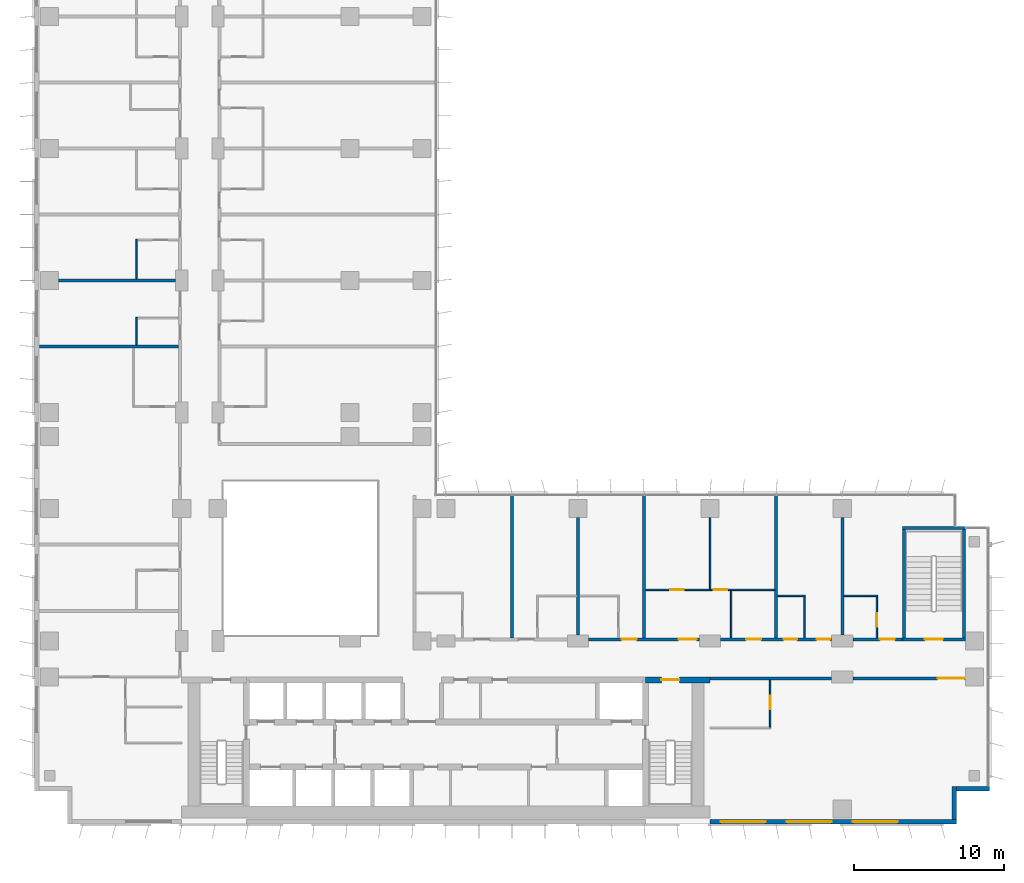
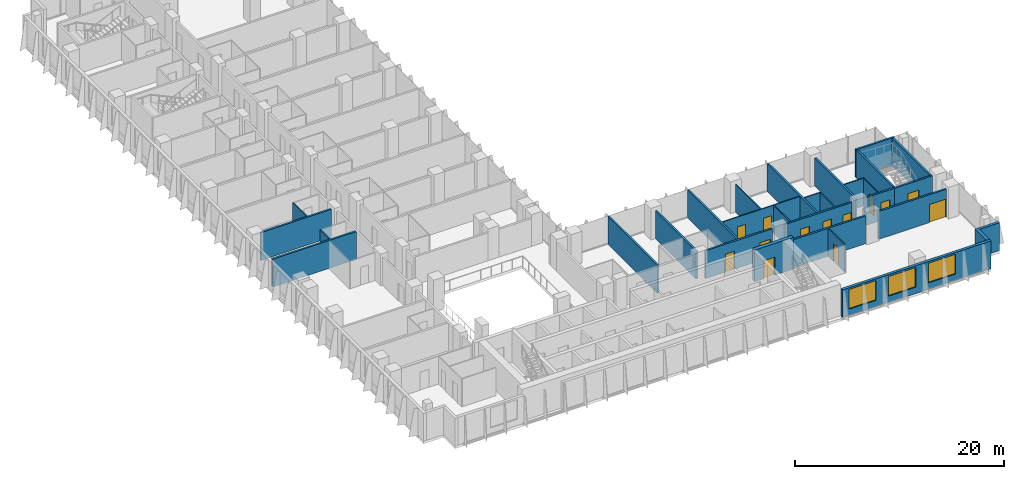
# One storey, part 14 of 22: 30 walls, 13 doors, 3 windows, 16 openings.
"""IFC4 building model written with IfcOpenShell, lengths in metres."""

from ifc_helpers import new_model, si_unit, direction, frame, frame_2d, origin, place, context, subcontext, project, spatial, rectangle, extrude, material, layer, layer_set, type_object, element, fill, save


model = new_model("IFC4")

# Units and contexts
model_context = context("Model", 3, precision=1e-05, world=origin(), true_north=direction((0.0, 1.0)))
body_context = subcontext(model_context, "Body", "Model", "MODEL_VIEW")
ifc_project = project(units=[si_unit("LENGTHUNIT", "METRE"), si_unit("AREAUNIT", "SQUARE_METRE"), si_unit("VOLUMEUNIT", "CUBIC_METRE"), si_unit("PLANEANGLEUNIT", "RADIAN"), si_unit("MASSUNIT", "GRAM", prefix="KILO")], contexts=[model_context])

# Site, building, storey
site_placement = place(None, origin())
site = spatial("IfcSite", under=ifc_project, at=site_placement, CompositionType="ELEMENT")
building_placement = place(site_placement, origin())
building = spatial("IfcBuilding", under=site, at=building_placement, Name="Kemantara Hotel Tower", CompositionType="ELEMENT")
storey_placement = place(building_placement, frame((0.0, 0.0, 129.60009765625)))
storey = spatial("IfcBuildingStorey", under=building, at=storey_placement, Name="L31", CompositionType="ELEMENT", Elevation=129.60009765625)

# Wall, openings, windows
ifc_material_1 = material(Name="Bronze anodised aluminium cladding on insulated steel stud wall", Category="steel")
ifc_layer_1 = layer(ifc_material_1, 0.300048828125)
ifc_layer_set_1 = layer_set([ifc_layer_1], Name="Bronze anodised aluminium cladding on insulated steel stud wall")
wall_type_1 = type_object("IfcWallType", Name="BRONZE METAL-CLAD EXTERNAL WALL 300", PredefinedType="STANDARD", material=ifc_layer_set_1)
wall_1_placement = place(storey_placement, frame((45.0, 0.14990234375, 0.0), z_axis=(0.0, 0.0, 1.0), x_axis=(1.0, 0.0, 0.0)))
wall_1 = element("IfcWall", 1, at=wall_1_placement, inside=storey, type_object=wall_type_1, Name="EXTERNAL WALL L31 T2-R07-3", PredefinedType="STANDARD", context=body_context, shape_type="SweptSolid", body=[
    extrude(rectangle(XDim=16.39990234375, YDim=0.300048828125, at=frame_2d((8.199951171875, 0.0))), origin(), (0.0, 0.0, 1.0), 3.25),
])
opening_1_placement = place(wall_1_placement, frame((0.699951171875, 0.0, 0.75)))
opening_1 = element("IfcOpeningElement", 2, at=opening_1_placement, cuts=wall_1, Name="Opening W1", PredefinedType="OPENING", context=body_context, shape_type="SweptSolid", body=[
    extrude(rectangle(XDim=3.0, YDim=2.300048828125, at=frame_2d((1.5, 1.14990234375))), frame((0.0, 0.159912109375, 0.0), z_axis=(0.0, -1.0, 0.0), x_axis=(1.0, 0.0, 0.0)), (0.0, 0.0, 1.0), 0.320068359375),
])
opening_2_placement = place(wall_1_placement, frame((5.10009765625, 0.0, 0.75)))
opening_2 = element("IfcOpeningElement", 3, at=opening_2_placement, cuts=wall_1, Name="Opening W1", PredefinedType="OPENING", context=body_context, shape_type="SweptSolid", body=[
    extrude(rectangle(XDim=3.0, YDim=2.300048828125, at=frame_2d((1.5, 1.14990234375))), frame((0.0, 0.159912109375, 0.0), z_axis=(0.0, -1.0, 0.0), x_axis=(1.0, 0.0, 0.0)), (0.0, 0.0, 1.0), 0.320068359375),
])
opening_3_placement = place(wall_1_placement, frame((9.5, 0.0, 0.75)))
opening_3 = element("IfcOpeningElement", 4, at=opening_3_placement, cuts=wall_1, Name="Opening W1", PredefinedType="OPENING", context=body_context, shape_type="SweptSolid", body=[
    extrude(rectangle(XDim=3.0, YDim=2.300048828125, at=frame_2d((1.5, 1.14990234375))), frame((0.0, 0.159912109375, 0.0), z_axis=(0.0, -1.0, 0.0), x_axis=(1.0, 0.0, 0.0)), (0.0, 0.0, 1.0), 0.320068359375),
])
ifc_material_2 = material(Name="Low-E tinted double insulated glass in bronze anodised aluminium frame", Category="aluminium")
window_type = type_object("IfcWindowType", Name="CHICAGO WINDOW, TRIPLE PANEL 3000x2300", PartitioningType="TRIPLE_PANEL_VERTICAL", PredefinedType="WINDOW", material=ifc_material_2)
window_1_placement = place(opening_1_placement, origin())
window_1 = element("IfcWindow", 5, at=window_1_placement, inside=storey, type_object=window_type, Name="CHICAGO WINDOW L31 T2-R07-450", OverallHeight=2.300048828125, OverallWidth=3.0, PartitioningType="SINGLE_PANEL", PredefinedType="WINDOW", context=body_context, shape_type="SweptSolid", body=[
    extrude(rectangle(XDim=3.0, YDim=2.300048828125, at=frame_2d((1.5, 1.14990234375))), frame((0.0, 0.030029296875, 0.0), z_axis=(0.0, -1.0, 0.0), x_axis=(1.0, 0.0, 0.0)), (0.0, 0.0, 1.0), 0.06005859375),
])
fill(opening_1, window_1)
window_2_placement = place(opening_2_placement, origin())
window_2 = element("IfcWindow", 6, at=window_2_placement, inside=storey, type_object=window_type, Name="CHICAGO WINDOW L31 T2-R07-494", OverallHeight=2.300048828125, OverallWidth=3.0, PartitioningType="SINGLE_PANEL", PredefinedType="WINDOW", context=body_context, shape_type="SweptSolid", body=[
    extrude(rectangle(XDim=3.0, YDim=2.300048828125, at=frame_2d((1.5, 1.14990234375))), frame((0.0, 0.030029296875, 0.0), z_axis=(0.0, -1.0, 0.0), x_axis=(1.0, 0.0, 0.0)), (0.0, 0.0, 1.0), 0.06005859375),
])
fill(opening_2, window_2)
window_3_placement = place(opening_3_placement, origin())
window_3 = element("IfcWindow", 7, at=window_3_placement, inside=storey, type_object=window_type, Name="CHICAGO WINDOW L31 T2-R07-538", OverallHeight=2.300048828125, OverallWidth=3.0, PartitioningType="SINGLE_PANEL", PredefinedType="WINDOW", context=body_context, shape_type="SweptSolid", body=[
    extrude(rectangle(XDim=3.0, YDim=2.300048828125, at=frame_2d((1.5, 1.14990234375))), frame((0.0, 0.030029296875, 0.0), z_axis=(0.0, -1.0, 0.0), x_axis=(1.0, 0.0, 0.0)), (0.0, 0.0, 1.0), 0.06005859375),
])
fill(opening_3, window_3)

# Walls
wall_2_placement = place(storey_placement, frame((61.25, 0.300048828125, 0.0), z_axis=(0.0, 0.0, 1.0), x_axis=(0.0, 1.0, 0.0)))
element("IfcWall", 8, at=wall_2_placement, inside=storey, type_object=wall_type_1, Name="EXTERNAL WALL L31 T2-R08", PredefinedType="STANDARD", context=body_context, shape_type="SweptSolid", body=[
    extrude(rectangle(XDim=2.199951171875, YDim=0.300048828125, at=frame_2d((1.10009765625, 0.0))), origin(), (0.0, 0.0, 1.0), 3.25),
])
wall_3_placement = place(storey_placement, frame((61.39990234375, 2.35009765625, 0.0), z_axis=(0.0, 0.0, 1.0), x_axis=(1.0, 0.0, 0.0)))
element("IfcWall", 9, at=wall_3_placement, inside=storey, type_object=wall_type_1, Name="EXTERNAL WALL L31 T2-R09", PredefinedType="STANDARD", context=body_context, shape_type="SweptSolid", body=[
    extrude(rectangle(XDim=2.2001953125, YDim=0.300048828125, at=frame_2d((1.10009765625, 0.0))), origin(), (0.0, 0.0, 1.0), 3.25),
])

# Wall, opening, door
ifc_material_3 = material(Name="Concrete fc 70 MPa", Category="concrete")
ifc_layer_2 = layer(ifc_material_3, 0.39990234375)
ifc_layer_set_2 = layer_set([ifc_layer_2], Name="Concrete fc 70 MPa")
wall_type_2 = type_object("IfcWallType", Name="CORE WALL 400 FC70", PredefinedType="SHEAR", material=ifc_layer_set_2)
wall_4_placement = place(storey_placement, frame((40.699951171875, 9.60009765625, 0.0), z_axis=(0.0, 0.0, 1.0), x_axis=(1.0, 0.0, 0.0)))
wall_4 = element("IfcWall", 10, at=wall_4_placement, inside=storey, type_object=wall_type_2, Name="CORE WALL CW-N2", PredefinedType="SHEAR", context=body_context, shape_type="SweptSolid", body=[
    extrude(rectangle(XDim=4.300048828125, YDim=0.39990234375, at=frame_2d((2.14990234375, 0.0))), origin(), (0.0, 0.0, 1.0), 3.699951171875),
])
opening_4_placement = place(wall_4_placement, frame((1.050048828125, 0.0, 0.0)))
opening_4 = element("IfcOpeningElement", 11, at=opening_4_placement, cuts=wall_4, Name="Opening C20-ST2-C", PredefinedType="OPENING", context=body_context, shape_type="SweptSolid", body=[
    extrude(rectangle(XDim=1.199951171875, YDim=2.10009765625, at=frame_2d((0.60009765625, 1.050048828125))), frame((0.0, 0.2099609375, 0.0), z_axis=(0.0, -1.0, 0.0), x_axis=(1.0, 0.0, 0.0)), (0.0, 0.0, 1.0), 0.419921875),
])
ifc_material_4 = material(Name="Steel fire door", Category="steel")
door_type_1 = type_object("IfcDoorType", Name="Fire door FD90 1200 x 2100", OperationType="NOTDEFINED", PredefinedType="DOOR", material=ifc_material_4)
door_1_placement = place(opening_4_placement, frame((1.199951171875, 0.0, 0.0), z_axis=(0.0, 0.0, 1.0), x_axis=(-1.0, 0.0, 0.0)))
door_1 = element("IfcDoor", 12, at=door_1_placement, inside=storey, type_object=door_type_1, Name="Stair ST2 door to corridor", OperationType="SINGLE_SWING_RIGHT", OverallHeight=2.10009765625, OverallWidth=1.199951171875, PredefinedType="DOOR", context=body_context, shape_type="SweptSolid", body=[
    extrude(rectangle(XDim=1.199951171875, YDim=2.10009765625, at=frame_2d((0.60009765625, 1.050048828125))), frame((0.0, 0.02490234375, 0.0), z_axis=(0.0, -1.0, 0.0), x_axis=(1.0, 0.0, 0.0)), (0.0, 0.0, 1.0), 0.050048828125),
])
fill(opening_4, door_1)

# Wall
ifc_material_5 = material(Name="Gypsum board partition, steel studs and mineral wool, 200 mm", Category="steel")
ifc_layer_3 = layer(ifc_material_5, 0.199951171875)
ifc_layer_set_3 = layer_set([ifc_layer_3], Name="Gypsum board partition, steel studs and mineral wool, 200 mm")
wall_type_3 = type_object("IfcWallType", Name="CORRIDOR WALL 200", PredefinedType="PARTITIONING", material=ifc_layer_set_3)
wall_5_placement = place(storey_placement, frame((45.0, 9.699951171875, 0.0), z_axis=(0.0, 0.0, 1.0), x_axis=(1.0, 0.0, 0.0)))
element("IfcWall", 13, at=wall_5_placement, inside=storey, type_object=wall_type_3, Name="CORRIDOR WALL 200 001", PredefinedType="PARTITIONING", context=body_context, shape_type="SweptSolid", body=[
    extrude(rectangle(XDim=8.099853515625, YDim=0.199951171875, at=frame_2d((4.0498046875, 0.0))), origin(), (0.0, 0.0, 1.0), 3.25),
])

# Wall, opening, door
wall_6_placement = place(storey_placement, frame((62.0, 9.699951171875, 0.0), z_axis=(0.0, 0.0, 1.0), x_axis=(-1.0, 0.0, 0.0)))
wall_6 = element("IfcWall", 14, at=wall_6_placement, inside=storey, type_object=wall_type_3, Name="CORRIDOR WALL 200 002", PredefinedType="PARTITIONING", context=body_context, shape_type="SweptSolid", body=[
    extrude(rectangle(XDim=7.5, YDim=0.199951171875, at=frame_2d((3.75, 0.0))), origin(), (0.0, 0.0, 1.0), 3.25),
])
opening_5_placement = place(wall_6_placement, frame((0.0498046875, 0.0, 0.0)))
opening_5 = element("IfcOpeningElement", 15, at=opening_5_placement, cuts=wall_6, Name="Opening F14-001", PredefinedType="OPENING", context=body_context, shape_type="SweptSolid", body=[
    extrude(rectangle(XDim=1.800048828125, YDim=2.10009765625, at=frame_2d((0.89990234375, 1.050048828125))), frame((0.0, 0.10986328125, 0.0), z_axis=(0.0, -1.0, 0.0), x_axis=(1.0, 0.0, 0.0)), (0.0, 0.0, 1.0), 0.219970703125),
])
ifc_material_6 = material(Name="Hardwood veneer door leaf with steel frame", Category="steel")
door_type_2 = type_object("IfcDoorType", Name="AMENITY ROOM DOOR 1800 X 2100 FD30S", OperationType="NOTDEFINED", PredefinedType="DOOR", material=ifc_material_6)
door_2_placement = place(opening_5_placement, origin())
door_2 = element("IfcDoor", 16, at=door_2_placement, inside=storey, type_object=door_type_2, Name="AMENITY ROOM DOOR F14-001", OperationType="DOUBLE_DOOR_SINGLE_SWING", OverallHeight=2.10009765625, OverallWidth=1.800048828125, PredefinedType="DOOR", context=body_context, shape_type="SweptSolid", body=[
    extrude(rectangle(XDim=1.800048828125, YDim=2.10009765625, at=frame_2d((0.89990234375, 1.050048828125))), frame((0.0, 0.02490234375, 0.0), z_axis=(0.0, -1.0, 0.0), x_axis=(1.0, 0.0, 0.0)), (0.0, 0.0, 1.0), 0.050048828125),
])
fill(opening_5, door_2)

# Wall, openings, doors
wall_7_placement = place(storey_placement, frame((36.900146484375, 12.300048828125, 0.0), z_axis=(0.0, 0.0, 1.0), x_axis=(1.0, 0.0, 0.0)))
wall_7 = element("IfcWall", 17, at=wall_7_placement, inside=storey, type_object=wall_type_3, Name="CORRIDOR WALL 200 005", PredefinedType="PARTITIONING", context=body_context, shape_type="SweptSolid", body=[
    extrude(rectangle(XDim=7.399658203125, YDim=0.199951171875, at=frame_2d((3.69970703125, 0.0))), origin(), (0.0, 0.0, 1.0), 3.25),
])
opening_6_placement = place(wall_7_placement, frame((2.199951171875, 0.0, 0.0)))
opening_6 = element("IfcOpeningElement", 18, at=opening_6_placement, cuts=wall_7, Name="Opening F14-007", PredefinedType="OPENING", context=body_context, shape_type="SweptSolid", body=[
    extrude(rectangle(XDim=1.0, YDim=2.10009765625, at=frame_2d((0.5, 1.050048828125))), frame((0.0, 0.10986328125, 0.0), z_axis=(0.0, -1.0, 0.0), x_axis=(1.0, 0.0, 0.0)), (0.0, 0.0, 1.0), 0.219970703125),
])
opening_7_placement = place(wall_7_placement, frame((6.0, 0.0, 0.0)))
opening_7 = element("IfcOpeningElement", 19, at=opening_7_placement, cuts=wall_7, Name="Opening F14-010", PredefinedType="OPENING", context=body_context, shape_type="SweptSolid", body=[
    extrude(rectangle(XDim=1.199951171875, YDim=2.10009765625, at=frame_2d((0.60009765625, 1.050048828125))), frame((0.0, 0.10986328125, 0.0), z_axis=(0.0, -1.0, 0.0), x_axis=(1.0, 0.0, 0.0)), (0.0, 0.0, 1.0), 0.219970703125),
])
door_type_3 = type_object("IfcDoorType", Name="GUEST ROOM DOOR 1000 X 2100 FD30S", OperationType="NOTDEFINED", PredefinedType="DOOR", material=ifc_material_6)
door_3_placement = place(opening_6_placement, origin())
door_3 = element("IfcDoor", 20, at=door_3_placement, inside=storey, type_object=door_type_3, Name="GUEST ROOM DOOR F14-007", OperationType="SINGLE_SWING_RIGHT", OverallHeight=2.10009765625, OverallWidth=1.0, PredefinedType="DOOR", context=body_context, shape_type="SweptSolid", body=[
    extrude(rectangle(XDim=1.0, YDim=2.10009765625, at=frame_2d((0.5, 1.050048828125))), frame((0.0, 0.02490234375, 0.0), z_axis=(0.0, -1.0, 0.0), x_axis=(1.0, 0.0, 0.0)), (0.0, 0.0, 1.0), 0.050048828125),
])
fill(opening_6, door_3)
door_type_4 = type_object("IfcDoorType", Name="GUEST ROOM DOOR 1200 X 2100 FD30S", OperationType="NOTDEFINED", PredefinedType="DOOR", material=ifc_material_6)
door_4_placement = place(opening_7_placement, origin())
door_4 = element("IfcDoor", 21, at=door_4_placement, inside=storey, type_object=door_type_4, Name="GUEST ROOM DOOR F14-010", OperationType="SINGLE_SWING_LEFT", OverallHeight=2.10009765625, OverallWidth=1.199951171875, PredefinedType="DOOR", context=body_context, shape_type="SweptSolid", body=[
    extrude(rectangle(XDim=1.199951171875, YDim=2.10009765625, at=frame_2d((0.60009765625, 1.050048828125))), frame((0.0, 0.02490234375, 0.0), z_axis=(0.0, -1.0, 0.0), x_axis=(1.0, 0.0, 0.0)), (0.0, 0.0, 1.0), 0.050048828125),
])
fill(opening_7, door_4)

wall_8_placement = place(storey_placement, frame((45.7001953125, 12.300048828125, 0.0), z_axis=(0.0, 0.0, 1.0), x_axis=(1.0, 0.0, 0.0)))
wall_8 = element("IfcWall", 22, at=wall_8_placement, inside=storey, type_object=wall_type_3, Name="CORRIDOR WALL 200 006", PredefinedType="PARTITIONING", context=body_context, shape_type="SweptSolid", body=[
    extrude(rectangle(XDim=7.399658203125, YDim=0.199951171875, at=frame_2d((3.69970703125, 0.0))), origin(), (0.0, 0.0, 1.0), 3.25),
])
opening_8_placement = place(wall_8_placement, frame((1.699951171875, 0.0, 0.0)))
opening_8 = element("IfcOpeningElement", 23, at=opening_8_placement, cuts=wall_8, Name="Opening F14-009", PredefinedType="OPENING", context=body_context, shape_type="SweptSolid", body=[
    extrude(rectangle(XDim=1.0, YDim=2.10009765625, at=frame_2d((0.5, 1.050048828125))), frame((0.0, 0.10986328125, 0.0), z_axis=(0.0, -1.0, 0.0), x_axis=(1.0, 0.0, 0.0)), (0.0, 0.0, 1.0), 0.219970703125),
])
opening_9_placement = place(wall_8_placement, frame((6.39990234375, 0.0, 0.0)))
opening_9 = element("IfcOpeningElement", 24, at=opening_9_placement, cuts=wall_8, Name="Opening F14-013", PredefinedType="OPENING", context=body_context, shape_type="SweptSolid", body=[
    extrude(rectangle(XDim=0.89990234375, YDim=2.10009765625, at=frame_2d((0.449951171875, 1.050048828125))), frame((0.0, 0.10986328125, 0.0), z_axis=(0.0, -1.0, 0.0), x_axis=(1.0, 0.0, 0.0)), (0.0, 0.0, 1.0), 0.219970703125),
])
opening_10_placement = place(wall_8_placement, frame((4.199951171875, 0.0, 0.0)))
opening_10 = element("IfcOpeningElement", 25, at=opening_10_placement, cuts=wall_8, Name="Opening F14-014", PredefinedType="OPENING", context=body_context, shape_type="SweptSolid", body=[
    extrude(rectangle(XDim=0.89990234375, YDim=2.10009765625, at=frame_2d((0.449951171875, 1.050048828125))), frame((0.0, 0.10986328125, 0.0), z_axis=(0.0, -1.0, 0.0), x_axis=(1.0, 0.0, 0.0)), (0.0, 0.0, 1.0), 0.219970703125),
])
ifc_material_7 = material(Name="Steel door leaf with steel frame", Category="steel")
door_type_5 = type_object("IfcDoorType", Name="SERVICE ROOM DOOR 1000 X 2100 FD60", OperationType="NOTDEFINED", PredefinedType="DOOR", material=ifc_material_7)
door_5_placement = place(opening_8_placement, origin())
door_5 = element("IfcDoor", 26, at=door_5_placement, inside=storey, type_object=door_type_5, Name="SERVICE ROOM DOOR F14-009", OperationType="SINGLE_SWING_RIGHT", OverallHeight=2.10009765625, OverallWidth=1.0, PredefinedType="DOOR", context=body_context, shape_type="SweptSolid", body=[
    extrude(rectangle(XDim=1.0, YDim=2.10009765625, at=frame_2d((0.5, 1.050048828125))), frame((0.0, 0.02490234375, 0.0), z_axis=(0.0, -1.0, 0.0), x_axis=(1.0, 0.0, 0.0)), (0.0, 0.0, 1.0), 0.050048828125),
])
fill(opening_8, door_5)
door_type_6 = type_object("IfcDoorType", Name="SERVICE ROOM DOOR 900 X 2100 FD60", OperationType="NOTDEFINED", PredefinedType="DOOR", material=ifc_material_7)
door_6_placement = place(opening_9_placement, origin())
door_6 = element("IfcDoor", 27, at=door_6_placement, inside=storey, type_object=door_type_6, Name="SERVICE ROOM DOOR F14-013", OperationType="SINGLE_SWING_RIGHT", OverallHeight=2.10009765625, OverallWidth=0.89990234375, PredefinedType="DOOR", context=body_context, shape_type="SweptSolid", body=[
    extrude(rectangle(XDim=0.89990234375, YDim=2.10009765625, at=frame_2d((0.449951171875, 1.050048828125))), frame((0.0, 0.02490234375, 0.0), z_axis=(0.0, -1.0, 0.0), x_axis=(1.0, 0.0, 0.0)), (0.0, 0.0, 1.0), 0.050048828125),
])
fill(opening_9, door_6)
door_7_placement = place(opening_10_placement, origin())
door_7 = element("IfcDoor", 28, at=door_7_placement, inside=storey, type_object=door_type_6, Name="SERVICE ROOM DOOR F14-014", OperationType="SINGLE_SWING_LEFT", OverallHeight=2.10009765625, OverallWidth=0.89990234375, PredefinedType="DOOR", context=body_context, shape_type="SweptSolid", body=[
    extrude(rectangle(XDim=0.89990234375, YDim=2.10009765625, at=frame_2d((0.449951171875, 1.050048828125))), frame((0.0, 0.02490234375, 0.0), z_axis=(0.0, -1.0, 0.0), x_axis=(1.0, 0.0, 0.0)), (0.0, 0.0, 1.0), 0.050048828125),
])
fill(opening_10, door_7)

# Wall, opening, door
wall_9_placement = place(storey_placement, frame((54.5, 12.300048828125, 0.0), z_axis=(0.0, 0.0, 1.0), x_axis=(1.0, 0.0, 0.0)))
wall_9 = element("IfcWall", 29, at=wall_9_placement, inside=storey, type_object=wall_type_3, Name="CORRIDOR WALL 200 007", PredefinedType="PARTITIONING", context=body_context, shape_type="SweptSolid", body=[
    extrude(rectangle(XDim=3.300048828125, YDim=0.199951171875, at=frame_2d((1.64990234375, 0.0))), origin(), (0.0, 0.0, 1.0), 3.25),
])
opening_11_placement = place(wall_9_placement, frame((1.7998046875, 0.0, 0.0)))
opening_11 = element("IfcOpeningElement", 30, at=opening_11_placement, cuts=wall_9, Name="Opening F14-015", PredefinedType="OPENING", context=body_context, shape_type="SweptSolid", body=[
    extrude(rectangle(XDim=1.0, YDim=2.10009765625, at=frame_2d((0.5, 1.050048828125))), frame((0.0, 0.10986328125, 0.0), z_axis=(0.0, -1.0, 0.0), x_axis=(1.0, 0.0, 0.0)), (0.0, 0.0, 1.0), 0.219970703125),
])
door_8_placement = place(opening_11_placement, origin())
door_8 = element("IfcDoor", 31, at=door_8_placement, inside=storey, type_object=door_type_3, Name="GUEST ROOM DOOR F14-015", OperationType="SINGLE_SWING_RIGHT", OverallHeight=2.10009765625, OverallWidth=1.0, PredefinedType="DOOR", context=body_context, shape_type="SweptSolid", body=[
    extrude(rectangle(XDim=1.0, YDim=2.10009765625, at=frame_2d((0.5, 1.050048828125))), frame((0.0, 0.02490234375, 0.0), z_axis=(0.0, -1.0, 0.0), x_axis=(1.0, 0.0, 0.0)), (0.0, 0.0, 1.0), 0.050048828125),
])
fill(opening_11, door_8)

ifc_material_8 = material(Name="Concrete fc 40 MPa", Category="concrete")
ifc_layer_4 = layer(ifc_material_8, 0.199951171875)
ifc_layer_set_4 = layer_set([ifc_layer_4], Name="Concrete fc 40 MPa")
wall_type_4 = type_object("IfcWallType", Name="Concrete stair wall 200 mm", PredefinedType="SHEAR", material=ifc_layer_set_4)
wall_10_placement = place(storey_placement, frame((57.800048828125, 12.300048828125, 0.0), z_axis=(0.0, 0.0, 1.0), x_axis=(1.0, 0.0, 0.0)))
wall_10 = element("IfcWall", 32, at=wall_10_placement, inside=storey, type_object=wall_type_4, Name="Stair ST3 enclosure wall with door", PredefinedType="SHEAR", context=body_context, shape_type="SweptSolid", body=[
    extrude(rectangle(XDim=4.199951171875, YDim=0.199951171875, at=frame_2d((2.10009765625, 0.0))), origin(), (0.0, 0.0, 1.0), 3.25),
])
opening_12_placement = place(wall_10_placement, frame((1.5, 0.0, 0.0)))
opening_12 = element("IfcOpeningElement", 33, at=opening_12_placement, cuts=wall_10, Name="Opening ST3-C", PredefinedType="OPENING", context=body_context, shape_type="SweptSolid", body=[
    extrude(rectangle(XDim=1.199951171875, YDim=2.10009765625, at=frame_2d((0.60009765625, 1.050048828125))), frame((0.0, 0.10986328125, 0.0), z_axis=(0.0, -1.0, 0.0), x_axis=(1.0, 0.0, 0.0)), (0.0, 0.0, 1.0), 0.219970703125),
])
door_9_placement = place(opening_12_placement, origin())
door_9 = element("IfcDoor", 34, at=door_9_placement, inside=storey, type_object=door_type_1, Name="Stair ST3 door", OperationType="SINGLE_SWING_RIGHT", OverallHeight=2.10009765625, OverallWidth=1.199951171875, PredefinedType="DOOR", context=body_context, shape_type="SweptSolid", body=[
    extrude(rectangle(XDim=1.199951171875, YDim=2.10009765625, at=frame_2d((0.60009765625, 1.050048828125))), frame((0.0, 0.02490234375, 0.0), z_axis=(0.0, -1.0, 0.0), x_axis=(1.0, 0.0, 0.0)), (0.0, 0.0, 1.0), 0.050048828125),
])
fill(opening_12, door_9)

# Walls
wall_11_placement = place(storey_placement, frame((57.800048828125, 19.699951171875, 0.0), z_axis=(0.0, 0.0, 1.0), x_axis=(1.0, 0.0, 0.0)))
element("IfcWall", 35, at=wall_11_placement, inside=storey, type_object=wall_type_4, Name="Stair ST3 enclosure wall N", PredefinedType="SHEAR", context=body_context, shape_type="SweptSolid", body=[
    extrude(rectangle(XDim=4.199951171875, YDim=0.199951171875, at=frame_2d((2.10009765625, 0.0))), origin(), (0.0, 0.0, 1.0), 3.25),
])
for number, where, z_axis, x_axis, name in (
    (36, (57.89990234375, 12.39990234375, 0.0), (0.0, 0.0, 1.0), (0.0, 1.0, 0.0), "Stair ST3 enclosure wall W"),
    (37, (61.89990234375, 12.39990234375, 0.0), (0.0, 0.0, 1.0), (0.0, 1.0, 0.0), "Stair ST3 enclosure wall E"),
):
    element("IfcWall", number, at=place(storey_placement, frame(where, z_axis=z_axis, x_axis=x_axis)), inside=storey, type_object=wall_type_4, Name=name, PredefinedType="SHEAR", context=body_context, shape_type="SweptSolid", body=[
        extrude(rectangle(XDim=7.2001953125, YDim=0.199951171875, at=frame_2d((3.60009765625, 0.0))), origin(), (0.0, 0.0, 1.0), 3.25),
    ])
ifc_layer_5 = layer(ifc_material_5, 0.199951171875)
ifc_layer_set_5 = layer_set([ifc_layer_5], Name="Gypsum board partition, steel studs and mineral wool, 200 mm")
wall_type_5 = type_object("IfcWallType", Name="GUEST ROOM PARTY WALL 200", PredefinedType="PARTITIONING", material=ifc_layer_set_5)
wall_12_placement = place(storey_placement, frame((31.800048828125, 12.39990234375, 0.0), z_axis=(0.0, 0.0, 1.0), x_axis=(0.0, 1.0, 0.0)))
element("IfcWall", 38, at=wall_12_placement, inside=storey, type_object=wall_type_5, Name="GUEST ROOM PARTY WALL 200 010", PredefinedType="PARTITIONING", context=body_context, shape_type="SweptSolid", body=[
    extrude(rectangle(XDim=9.47021484375, YDim=0.199951171875, at=frame_2d((4.735107421875, 0.0))), origin(), (0.0, 0.0, 1.0), 3.25),
])
wall_13_placement = place(storey_placement, frame((36.199951171875, 12.60009765625, 0.0), z_axis=(0.0, 0.0, 1.0), x_axis=(0.0, 1.0, 0.0)))
element("IfcWall", 39, at=wall_13_placement, inside=storey, type_object=wall_type_5, Name="GUEST ROOM PARTY WALL 200 011", PredefinedType="PARTITIONING", context=body_context, shape_type="SweptSolid", body=[
    extrude(rectangle(XDim=7.7998046875, YDim=0.199951171875, at=frame_2d((3.89990234375, 0.0))), origin(), (0.0, 0.0, 1.0), 3.25),
])
for number, where, z_axis, x_axis, name in (
    (40, (40.60009765625, 12.39990234375, 0.0), (0.0, 0.0, 1.0), (0.0, 1.0, 0.0), "GUEST ROOM PARTY WALL 200 012"),
    (41, (49.39990234375, 12.39990234375, 0.0), (0.0, 0.0, 1.0), (0.0, 1.0, 0.0), "GUEST ROOM PARTY WALL 200 013"),
):
    element("IfcWall", number, at=place(storey_placement, frame(where, z_axis=z_axis, x_axis=x_axis)), inside=storey, type_object=wall_type_5, Name=name, PredefinedType="PARTITIONING", context=body_context, shape_type="SweptSolid", body=[
        extrude(rectangle(XDim=9.47021484375, YDim=0.199951171875, at=frame_2d((4.735107421875, 0.0))), origin(), (0.0, 0.0, 1.0), 3.25),
    ])
wall_14_placement = place(storey_placement, frame((53.800048828125, 12.60009765625, 0.0), z_axis=(0.0, 0.0, 1.0), x_axis=(0.0, 1.0, 0.0)))
element("IfcWall", 42, at=wall_14_placement, inside=storey, type_object=wall_type_5, Name="GUEST ROOM PARTY WALL 200 014", PredefinedType="PARTITIONING", context=body_context, shape_type="SweptSolid", body=[
    extrude(rectangle(XDim=7.7998046875, YDim=0.199951171875, at=frame_2d((3.89990234375, 0.0))), origin(), (0.0, 0.0, 1.0), 3.25),
])
wall_15_placement = place(storey_placement, frame((0.31005859375, 31.800048828125, 0.0), z_axis=(0.0, 0.0, 1.0), x_axis=(1.0, 0.0, 0.0)))
element("IfcWall", 43, at=wall_15_placement, inside=storey, type_object=wall_type_5, Name="GUEST ROOM PARTY WALL 200 026", PredefinedType="PARTITIONING", context=body_context, shape_type="SweptSolid", body=[
    extrude(rectangle(XDim=9.2900390625, YDim=0.199951171875, at=frame_2d((4.64501953125, 0.0))), origin(), (0.0, 0.0, 1.0), 3.25),
])
wall_16_placement = place(storey_placement, frame((1.60009765625, 36.199951171875, 0.0), z_axis=(0.0, 0.0, 1.0), x_axis=(1.0, 0.0, 0.0)))
element("IfcWall", 44, at=wall_16_placement, inside=storey, type_object=wall_type_5, Name="GUEST ROOM PARTY WALL 200 028", PredefinedType="PARTITIONING", context=body_context, shape_type="SweptSolid", body=[
    extrude(rectangle(XDim=7.7998046875, YDim=0.199951171875, at=frame_2d((3.89990234375, 0.0))), origin(), (0.0, 0.0, 1.0), 3.25),
])

# Wall, opening, door
ifc_material_9 = material(Name="Gypsum board partition on steel studs, 100 mm", Category="steel")
ifc_layer_6 = layer(ifc_material_9, 0.10009765625)
ifc_layer_set_6 = layer_set([ifc_layer_6], Name="Gypsum board partition on steel studs, 100 mm")
wall_type_6 = type_object("IfcWallType", Name="ROOM PARTITION 100", PredefinedType="PARTITIONING", material=ifc_layer_set_6)
wall_17_placement = place(storey_placement, frame((49.0, 6.449951171875, 0.0), z_axis=(0.0, 0.0, 1.0), x_axis=(0.0, 1.0, 0.0)))
wall_17 = element("IfcWall", 45, at=wall_17_placement, inside=storey, type_object=wall_type_6, Name="ROOM PARTITION 100 056", PredefinedType="PARTITIONING", context=body_context, shape_type="SweptSolid", body=[
    extrude(rectangle(XDim=3.150146484375, YDim=0.10009765625, at=frame_2d((1.5751953125, 0.0))), origin(), (0.0, 0.0, 1.0), 3.25),
])
opening_13_placement = place(wall_17_placement, frame((1.199951171875, 0.0, 0.0)))
opening_13 = element("IfcOpeningElement", 46, at=opening_13_placement, cuts=wall_17, Name="Opening F14-002", PredefinedType="OPENING", context=body_context, shape_type="SweptSolid", body=[
    extrude(rectangle(XDim=0.89990234375, YDim=2.10009765625, at=frame_2d((0.449951171875, 1.050048828125))), frame((0.0, 0.06005859375, 0.0), z_axis=(0.0, -1.0, 0.0), x_axis=(1.0, 0.0, 0.0)), (0.0, 0.0, 1.0), 0.1201171875),
])
door_type_7 = type_object("IfcDoorType", Name="INTERNAL DOOR 900 X 2100", OperationType="NOTDEFINED", PredefinedType="DOOR", material=ifc_material_6)
door_10_placement = place(opening_13_placement, origin())
door_10 = element("IfcDoor", 47, at=door_10_placement, inside=storey, type_object=door_type_7, Name="INTERNAL DOOR F14-002", OperationType="SINGLE_SWING_RIGHT", OverallHeight=2.10009765625, OverallWidth=0.89990234375, PredefinedType="DOOR", context=body_context, shape_type="SweptSolid", body=[
    extrude(rectangle(XDim=0.89990234375, YDim=2.10009765625, at=frame_2d((0.449951171875, 1.050048828125))), frame((0.0, 0.02490234375, 0.0), z_axis=(0.0, -1.0, 0.0), x_axis=(1.0, 0.0, 0.0)), (0.0, 0.0, 1.0), 0.050048828125),
])
fill(opening_13, door_10)

# Walls
wall_18_placement = place(storey_placement, frame((49.5, 15.199951171875, 0.0), z_axis=(0.0, 0.0, 1.0), x_axis=(1.0, 0.0, 0.0)))
element("IfcWall", 48, at=wall_18_placement, inside=storey, type_object=wall_type_6, Name="ROOM PARTITION 100 061", PredefinedType="PARTITIONING", context=body_context, shape_type="SweptSolid", body=[
    extrude(rectangle(XDim=1.85009765625, YDim=0.10009765625, at=frame_2d((0.925048828125, 0.0))), origin(), (0.0, 0.0, 1.0), 3.25),
])
wall_19_placement = place(storey_placement, frame((53.89990234375, 15.199951171875, 0.0), z_axis=(0.0, 0.0, 1.0), x_axis=(1.0, 0.0, 0.0)))
element("IfcWall", 49, at=wall_19_placement, inside=storey, type_object=wall_type_6, Name="ROOM PARTITION 100 062", PredefinedType="PARTITIONING", context=body_context, shape_type="SweptSolid", body=[
    extrude(rectangle(XDim=2.25, YDim=0.10009765625, at=frame_2d((1.125, 0.0))), origin(), (0.0, 0.0, 1.0), 3.25),
])

# Wall, openings, doors
wall_20_placement = place(storey_placement, frame((40.699951171875, 15.60009765625, 0.0), z_axis=(0.0, 0.0, 1.0), x_axis=(1.0, 0.0, 0.0)))
wall_20 = element("IfcWall", 50, at=wall_20_placement, inside=storey, type_object=wall_type_6, Name="ROOM PARTITION 100 065", PredefinedType="PARTITIONING", context=body_context, shape_type="SweptSolid", body=[
    extrude(rectangle(XDim=8.60009765625, YDim=0.10009765625, at=frame_2d((4.300048828125, 0.0))), origin(), (0.0, 0.0, 1.0), 3.25),
])
opening_14_placement = place(wall_20_placement, frame((4.550048828125, 0.0, 0.0)))
opening_14 = element("IfcOpeningElement", 51, at=opening_14_placement, cuts=wall_20, Name="Opening F14-011", PredefinedType="OPENING", context=body_context, shape_type="SweptSolid", body=[
    extrude(rectangle(XDim=0.89990234375, YDim=2.10009765625, at=frame_2d((0.449951171875, 1.050048828125))), frame((0.0, 0.06005859375, 0.0), z_axis=(0.0, -1.0, 0.0), x_axis=(1.0, 0.0, 0.0)), (0.0, 0.0, 1.0), 0.1201171875),
])
opening_15_placement = place(wall_20_placement, frame((1.64990234375, 0.0, 0.0)))
opening_15 = element("IfcOpeningElement", 52, at=opening_15_placement, cuts=wall_20, Name="Opening F14-012", PredefinedType="OPENING", context=body_context, shape_type="SweptSolid", body=[
    extrude(rectangle(XDim=0.89990234375, YDim=2.10009765625, at=frame_2d((0.449951171875, 1.050048828125))), frame((0.0, 0.06005859375, 0.0), z_axis=(0.0, -1.0, 0.0), x_axis=(1.0, 0.0, 0.0)), (0.0, 0.0, 1.0), 0.1201171875),
])
door_11_placement = place(opening_14_placement, origin())
door_11 = element("IfcDoor", 53, at=door_11_placement, inside=storey, type_object=door_type_7, Name="INTERNAL DOOR F14-011", OperationType="SINGLE_SWING_LEFT", OverallHeight=2.10009765625, OverallWidth=0.89990234375, PredefinedType="DOOR", context=body_context, shape_type="SweptSolid", body=[
    extrude(rectangle(XDim=0.89990234375, YDim=2.10009765625, at=frame_2d((0.449951171875, 1.050048828125))), frame((0.0, 0.02490234375, 0.0), z_axis=(0.0, -1.0, 0.0), x_axis=(1.0, 0.0, 0.0)), (0.0, 0.0, 1.0), 0.050048828125),
])
fill(opening_14, door_11)
door_12_placement = place(opening_15_placement, origin())
door_12 = element("IfcDoor", 54, at=door_12_placement, inside=storey, type_object=door_type_7, Name="INTERNAL DOOR F14-012", OperationType="SINGLE_SWING_LEFT", OverallHeight=2.10009765625, OverallWidth=0.89990234375, PredefinedType="DOOR", context=body_context, shape_type="SweptSolid", body=[
    extrude(rectangle(XDim=0.89990234375, YDim=2.10009765625, at=frame_2d((0.449951171875, 1.050048828125))), frame((0.0, 0.02490234375, 0.0), z_axis=(0.0, -1.0, 0.0), x_axis=(1.0, 0.0, 0.0)), (0.0, 0.0, 1.0), 0.050048828125),
])
fill(opening_15, door_12)

# Walls
wall_21_placement = place(storey_placement, frame((46.39990234375, 12.39990234375, 0.0), z_axis=(0.0, 0.0, 1.0), x_axis=(0.0, 1.0, 0.0)))
element("IfcWall", 55, at=wall_21_placement, inside=storey, type_object=wall_type_6, Name="ROOM PARTITION 100 066", PredefinedType="PARTITIONING", context=body_context, shape_type="SweptSolid", body=[
    extrude(rectangle(XDim=3.150146484375, YDim=0.10009765625, at=frame_2d((1.5751953125, 0.0))), origin(), (0.0, 0.0, 1.0), 3.25),
])
wall_22_placement = place(storey_placement, frame((45.0, 15.64990234375, 0.0), z_axis=(0.0, 0.0, 1.0), x_axis=(0.0, 1.0, 0.0)))
element("IfcWall", 56, at=wall_22_placement, inside=storey, type_object=wall_type_6, Name="ROOM PARTITION 100 067", PredefinedType="PARTITIONING", context=body_context, shape_type="SweptSolid", body=[
    extrude(rectangle(XDim=4.75, YDim=0.10009765625, at=frame_2d((2.375, 0.0))), origin(), (0.0, 0.0, 1.0), 3.25),
])
wall_23_placement = place(storey_placement, frame((51.300048828125, 12.39990234375, 0.0), z_axis=(0.0, 0.0, 1.0), x_axis=(0.0, 1.0, 0.0)))
element("IfcWall", 57, at=wall_23_placement, inside=storey, type_object=wall_type_6, Name="ROOM PARTITION 100 068", PredefinedType="PARTITIONING", context=body_context, shape_type="SweptSolid", body=[
    extrude(rectangle(XDim=2.75, YDim=0.10009765625, at=frame_2d((1.375, 0.0))), origin(), (0.0, 0.0, 1.0), 3.25),
])

# Wall, opening, door
wall_24_placement = place(storey_placement, frame((56.10009765625, 12.39990234375, 0.0), z_axis=(0.0, 0.0, 1.0), x_axis=(0.0, 1.0, 0.0)))
wall_24 = element("IfcWall", 58, at=wall_24_placement, inside=storey, type_object=wall_type_6, Name="ROOM PARTITION 100 069", PredefinedType="PARTITIONING", context=body_context, shape_type="SweptSolid", body=[
    extrude(rectangle(XDim=2.75, YDim=0.10009765625, at=frame_2d((1.375, 0.0))), origin(), (0.0, 0.0, 1.0), 3.25),
])
opening_16_placement = place(wall_24_placement, frame((0.75, 0.0, 0.0)))
opening_16 = element("IfcOpeningElement", 59, at=opening_16_placement, cuts=wall_24, Name="Opening F14-016", PredefinedType="OPENING", context=body_context, shape_type="SweptSolid", body=[
    extrude(rectangle(XDim=0.89990234375, YDim=2.10009765625, at=frame_2d((0.449951171875, 1.050048828125))), frame((0.0, 0.06005859375, 0.0), z_axis=(0.0, -1.0, 0.0), x_axis=(1.0, 0.0, 0.0)), (0.0, 0.0, 1.0), 0.1201171875),
])
door_type_8 = type_object("IfcDoorType", Name="BATHROOM DOOR 900 X 2100", OperationType="NOTDEFINED", PredefinedType="DOOR", material=ifc_material_6)
door_13_placement = place(opening_16_placement, origin())
door_13 = element("IfcDoor", 60, at=door_13_placement, inside=storey, type_object=door_type_8, Name="BATHROOM DOOR F14-016", OperationType="SINGLE_SWING_LEFT", OverallHeight=2.10009765625, OverallWidth=0.89990234375, PredefinedType="DOOR", context=body_context, shape_type="SweptSolid", body=[
    extrude(rectangle(XDim=0.89990234375, YDim=2.10009765625, at=frame_2d((0.449951171875, 1.050048828125))), frame((0.0, 0.02490234375, 0.0), z_axis=(0.0, -1.0, 0.0), x_axis=(1.0, 0.0, 0.0)), (0.0, 0.0, 1.0), 0.050048828125),
])
fill(opening_16, door_13)

# Walls
wall_25_placement = place(storey_placement, frame((6.800048828125, 31.89990234375, 0.0), z_axis=(0.0, 0.0, 1.0), x_axis=(0.0, 1.0, 0.0)))
element("IfcWall", 61, at=wall_25_placement, inside=storey, type_object=wall_type_6, Name="ROOM PARTITION 100 076", PredefinedType="PARTITIONING", context=body_context, shape_type="SweptSolid", body=[
    extrude(rectangle(XDim=1.85009765625, YDim=0.10009765625, at=frame_2d((0.925048828125, 0.0))), origin(), (0.0, 0.0, 1.0), 3.25),
])
wall_26_placement = place(storey_placement, frame((6.800048828125, 36.300048828125, 0.0), z_axis=(0.0, 0.0, 1.0), x_axis=(0.0, 1.0, 0.0)))
element("IfcWall", 62, at=wall_26_placement, inside=storey, type_object=wall_type_6, Name="ROOM PARTITION 100 077", PredefinedType="PARTITIONING", context=body_context, shape_type="SweptSolid", body=[
    extrude(rectangle(XDim=2.64990234375, YDim=0.10009765625, at=frame_2d((1.324951171875, 0.0))), origin(), (0.0, 0.0, 1.0), 3.25),
])

save(model, "model.ifc")
